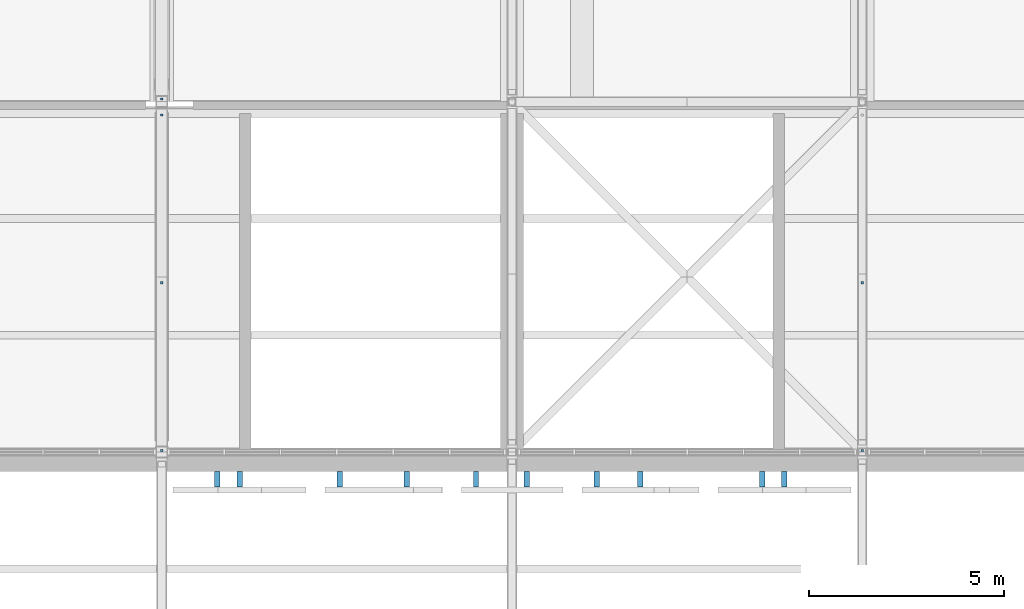
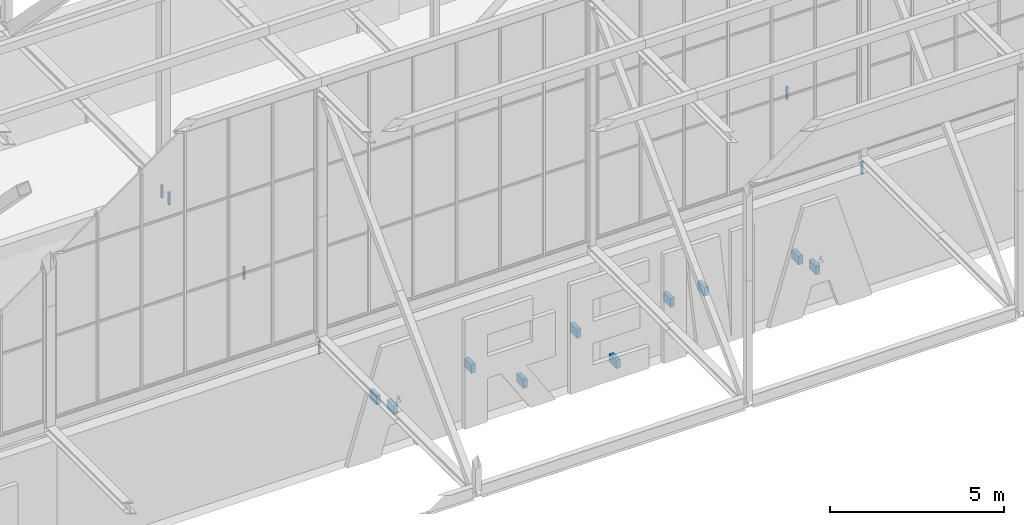
# One storey, part 191 of 646: 16 discrete accessories.
"""IFC4 building model written with IfcOpenShell, lengths in metres."""

from ifc_helpers import new_model, si_unit, direction, frame, origin, origin_2d, place, context, subcontext, project, spatial, rectangle, extrude, material, type_object, element, save


model = new_model("IFC4")

# Units and contexts
model_context = context("Model", 3, precision=1e-05, world=origin(), true_north=direction((0.0, 1.0)))
body_context = subcontext(model_context, "Body", "Model", "MODEL_VIEW")
ifc_project = project(units=[si_unit("LENGTHUNIT", "METRE"), si_unit("AREAUNIT", "SQUARE_METRE"), si_unit("VOLUMEUNIT", "CUBIC_METRE"), si_unit("PLANEANGLEUNIT", "RADIAN"), si_unit("MASSUNIT", "GRAM", prefix="KILO")], contexts=[model_context])

# Site, building, storey
site_placement = place(None, origin())
site = spatial("IfcSite", under=ifc_project, at=site_placement, CompositionType="ELEMENT")
building_placement = place(site_placement, origin())
building = spatial("IfcBuilding", under=site, at=building_placement, Name="Silverbay Arena", CompositionType="ELEMENT")
storey_placement = place(building_placement, frame((0.0, 0.0, 33.5)))
storey = spatial("IfcBuildingStorey", under=building, at=storey_placement, Name="L05", CompositionType="ELEMENT", Elevation=33.5)

# Discrete accessories
ifc_material_1 = material(Name="Steel S355", Category="steel")
discrete_accessory_type_1 = type_object("IfcDiscreteAccessoryType", Name="Ceiling hanger", PredefinedType="BRACKET", material=ifc_material_1)
for number, where, z_axis, x_axis, name in (
    (1, (153.0, 27.070068359375, 3.5498046875), (0.0, 0.0, 1.0), (1.0, 0.0, 0.0), "Ceiling hanger"),
    (2, (153.0, 18.0400390625, 3.5498046875), (0.0, 0.0, 1.0), (1.0, 0.0, 0.0), "Ceiling hanger"),
    (3, (153.0, 22.35009765625, 3.5498046875), (0.0, 0.0, 1.0), (1.0, 0.0, 0.0), "Ceiling hanger"),
    (4, (153.0, 26.659912109375, 3.5498046875), (0.0, 0.0, 1.0), (1.0, 0.0, 0.0), "Ceiling hanger"),
    (5, (171.0, 18.0400390625, 3.5498046875), (0.0, 0.0, 1.0), (1.0, 0.0, 0.0), "Ceiling hanger"),
    (6, (171.0, 22.35009765625, 3.5498046875), (0.0, 0.0, 1.0), (1.0, 0.0, 0.0), "Ceiling hanger"),
):
    element("IfcDiscreteAccessory", number, at=place(storey_placement, frame(where, z_axis=z_axis, x_axis=x_axis)), inside=storey, type_object=discrete_accessory_type_1, Name=name, PredefinedType="BRACKET", context=body_context, shape_type="SweptSolid", body=[
        extrude(rectangle(XDim=0.06005859375, YDim=0.06005859375, at=origin_2d()), origin(), (0.0, 0.0, 1.0), 0.449951171875),
    ])
ifc_material_2 = material(Name="Steel S355", Category="steel")
discrete_accessory_type_2 = type_object("IfcDiscreteAccessoryType", Name="Steel bracket plate", PredefinedType="BRACKET", material=ifc_material_2)
for number, where, z_axis, x_axis, name in (
    (7, (154.425048828125, 17.300048828125, 1.85009765625), (0.0, 0.0, 1.0), (1.0, 0.0, 0.0), "Name band bracket plate"),
    (8, (155.0, 17.300048828125, 1.2998046875), (0.0, 0.0, 1.0), (1.0, 0.0, 0.0), "Name band bracket plate"),
    (9, (157.574951171875, 17.300048828125, 1.85009765625), (0.0, 0.0, 1.0), (1.0, 0.0, 0.0), "Name band bracket plate"),
    (10, (159.300048828125, 17.300048828125, 0.71240234375), (0.0, 0.0, 1.0), (1.0, 0.0, 0.0), "Name band bracket plate"),
    (11, (161.074951171875, 17.300048828125, 1.85009765625), (0.0, 0.0, 1.0), (1.0, 0.0, 0.0), "Name band bracket plate"),
    (12, (162.375, 17.300048828125, 0.3251953125), (0.0, 0.0, 1.0), (1.0, 0.0, 0.0), "Name band bracket plate"),
    (13, (164.175048828125, 17.300048828125, 1.85009765625), (0.0, 0.0, 1.0), (1.0, 0.0, 0.0), "Name band bracket plate"),
    (14, (165.300048828125, 17.300048828125, 1.85009765625), (0.0, 0.0, 1.0), (1.0, 0.0, 0.0), "Name band bracket plate"),
    (15, (168.425048828125, 17.300048828125, 1.85009765625), (0.0, 0.0, 1.0), (1.0, 0.0, 0.0), "Name band bracket plate"),
    (16, (169.0, 17.300048828125, 1.2998046875), (0.0, 0.0, 1.0), (1.0, 0.0, 0.0), "Name band bracket plate"),
):
    element("IfcDiscreteAccessory", number, at=place(storey_placement, frame(where, z_axis=z_axis, x_axis=x_axis)), inside=storey, type_object=discrete_accessory_type_2, Name=name, PredefinedType="BRACKET", context=body_context, shape_type="SweptSolid", body=[
        extrude(rectangle(XDim=0.139892578125, YDim=0.39990234375, at=origin_2d()), origin(), (0.0, 0.0, 1.0), 0.300048828125),
    ])

save(model, "model.ifc")
